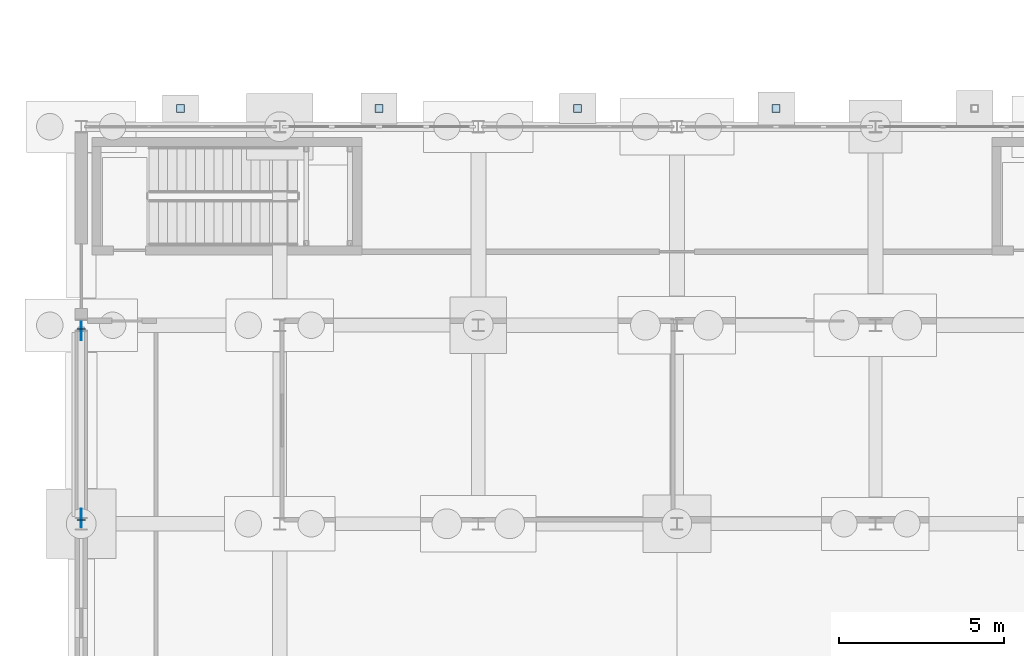
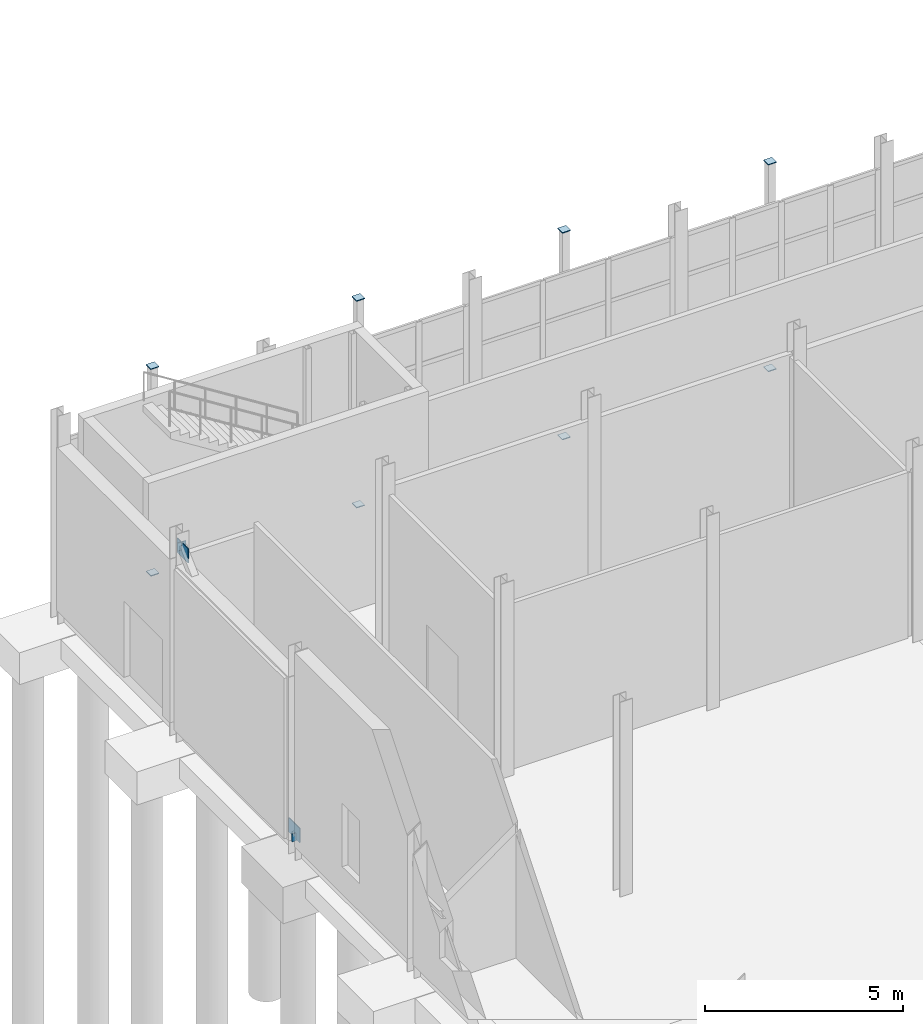
# One storey, part 79 of 120: 12 plates.
"""IFC4 building model written with IfcOpenShell, lengths in metres."""

from ifc_helpers import new_model, si_unit, direction, frame, origin, origin_2d, place, context, subcontext, project, spatial, rectangle, extrude, material, layer, layer_set, type_object, element, save


model = new_model("IFC4")

# Units and contexts
model_context = context("Model", 3, precision=1e-05, world=origin(), true_north=direction((0.0, 1.0)))
body_context = subcontext(model_context, "Body", "Model", "MODEL_VIEW")
ifc_project = project(units=[si_unit("LENGTHUNIT", "METRE"), si_unit("AREAUNIT", "SQUARE_METRE"), si_unit("VOLUMEUNIT", "CUBIC_METRE"), si_unit("PLANEANGLEUNIT", "RADIAN"), si_unit("MASSUNIT", "GRAM", prefix="KILO")], contexts=[model_context])

# Site, building, storey
site_placement = place(None, origin())
site = spatial("IfcSite", under=ifc_project, at=site_placement, CompositionType="ELEMENT")
building_placement = place(site_placement, origin())
building = spatial("IfcBuilding", under=site, at=building_placement, Name="Siltcreek Boulevard Central Fire Station", CompositionType="ELEMENT")
storey_placement = place(building_placement, origin())
storey = spatial("IfcBuildingStorey", under=building, at=storey_placement, Name="L01", CompositionType="ELEMENT", Elevation=0.0)

# Plates
ifc_material = material(Name="Structural steel ASTM A572 Gr50", Category="steel")
ifc_layer_1 = layer(ifc_material, 0.02490234375, Name="Structural steel ASTM A572 Gr50")
ifc_layer_set_1 = layer_set([ifc_layer_1], Name="Structural steel ASTM A572 Gr50")
plate_type_1 = type_object("IfcPlateType", Name="PL_CAP25", PredefinedType="USERDEFINED", material=ifc_layer_set_1)
for number, where, z_axis, x_axis, name in (
    (1, (4.800048828125, 54.550048828125, -0.373046875), (0.0, 0.0, 1.0), (1.0, 0.0, 0.0), "Terracotta pier pilaster column PL-10 sealed end cap 1"),
    (2, (4.800048828125, 54.550048828125, 5.998046875), (0.0, 0.0, 1.0), (1.0, 0.0, 0.0), "Terracotta pier pilaster column PL-10 sealed end cap 2"),
    (3, (10.800048828125, 54.550048828125, -0.373046875), (0.0, 0.0, 1.0), (1.0, 0.0, 0.0), "Terracotta pier pilaster column PL-11 sealed end cap 1"),
    (4, (10.800048828125, 54.550048828125, 5.998046875), (0.0, 0.0, 1.0), (1.0, 0.0, 0.0), "Terracotta pier pilaster column PL-11 sealed end cap 2"),
    (5, (16.800048828125, 54.550048828125, -0.373046875), (0.0, 0.0, 1.0), (1.0, 0.0, 0.0), "Terracotta pier pilaster column PL-12 sealed end cap 1"),
    (6, (16.800048828125, 54.550048828125, 5.998046875), (0.0, 0.0, 1.0), (1.0, 0.0, 0.0), "Terracotta pier pilaster column PL-12 sealed end cap 2"),
    (7, (22.800048828125, 54.550048828125, -0.373046875), (0.0, 0.0, 1.0), (1.0, 0.0, 0.0), "Terracotta pier pilaster column PL-13 sealed end cap 1"),
    (8, (22.800048828125, 54.550048828125, 5.998046875), (0.0, 0.0, 1.0), (1.0, 0.0, 0.0), "Terracotta pier pilaster column PL-13 sealed end cap 2"),
):
    element("IfcPlate", number, at=place(storey_placement, frame(where, z_axis=z_axis, x_axis=x_axis)), inside=storey, type_object=plate_type_1, Name=name, ObjectType="END CAP", PredefinedType="USERDEFINED", context=body_context, shape_type="SweptSolid", body=[
        extrude(rectangle(XDim=0.239990234375, YDim=0.239990234375, at=origin_2d()), origin(), (0.0, 0.0, 1.0), 0.02490234375),
    ])
for number, where, z_axis, x_axis, name in (
    (9, (1.800048828125, 42.1123046875, -0.02734375), (0.0, 0.0, 1.0), (0.0, 1.0, 0.0), "L01 SCBF concentrically braced frame BR-001 sealed end cap 1"),
    (10, (1.800048828125, 47.8876953125, 5.43701171875), (0.0, 0.0, 1.0), (0.0, 1.0, 0.0), "L01 SCBF concentrically braced frame BR-001 sealed end cap 2"),
):
    element("IfcPlate", number, at=place(storey_placement, frame(where, z_axis=z_axis, x_axis=x_axis)), inside=storey, type_object=plate_type_1, Name=name, ObjectType="END CAP", PredefinedType="USERDEFINED", context=body_context, shape_type="SweptSolid", body=[
        extrude(rectangle(XDim=0.02490234375, YDim=0.239990234375, at=origin_2d()), origin(), (0.0, 0.0, 1.0), 0.239990234375),
    ])
ifc_layer_2 = layer(ifc_material, 0.02197265625, Name="Structural steel ASTM A572 Gr50")
ifc_layer_set_2 = layer_set([ifc_layer_2], Name="Structural steel ASTM A572 Gr50")
plate_type_2 = type_object("IfcPlateType", Name="PL_GUS22", PredefinedType="USERDEFINED", material=ifc_layer_set_2)
plate_1_placement = place(storey_placement, frame((1.800048828125, 42.179931640625, 0.030029296875), z_axis=(0.0, 0.0, 1.0), x_axis=(0.0, 1.0, 0.0)))
element("IfcPlate", 11, at=plate_1_placement, inside=storey, type_object=plate_type_2, Name="Seismic brace bot gusset plate GP-035", ObjectType="GUSSET PLATE", PredefinedType="USERDEFINED", context=body_context, shape_type="SweptSolid", body=[
    extrude(rectangle(XDim=0.56005859375, YDim=0.02197265625, at=origin_2d()), origin(), (0.0, 0.0, 1.0), 0.43994140625),
])
ifc_layer_3 = layer(ifc_material, 0.028076171875, Name="Structural steel ASTM A572 Gr50")
ifc_layer_set_3 = layer_set([ifc_layer_3], Name="Structural steel ASTM A572 Gr50")
plate_type_3 = type_object("IfcPlateType", Name="PL_GUS28", PredefinedType="USERDEFINED", material=ifc_layer_set_3)
plate_2_placement = place(storey_placement, frame((1.800048828125, 47.820068359375, 5.22998046875), z_axis=(0.0, 0.0, 1.0), x_axis=(0.0, 1.0, 0.0)))
element("IfcPlate", 12, at=plate_2_placement, inside=storey, type_object=plate_type_3, Name="Seismic brace top gusset plate GP-036", ObjectType="GUSSET PLATE", PredefinedType="USERDEFINED", context=body_context, shape_type="SweptSolid", body=[
    extrude(rectangle(XDim=0.56005859375, YDim=0.028076171875, at=origin_2d()), origin(), (0.0, 0.0, 1.0), 0.43994140625),
])

save(model, "model.ifc")
